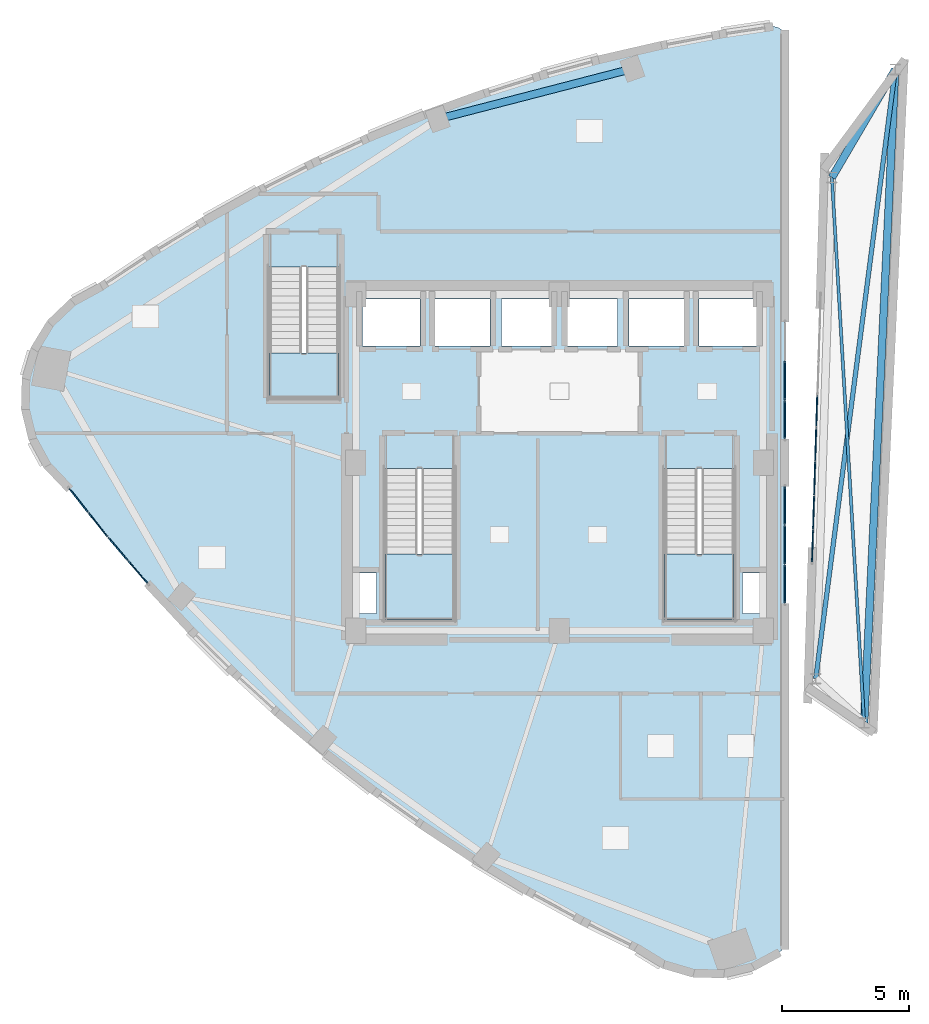
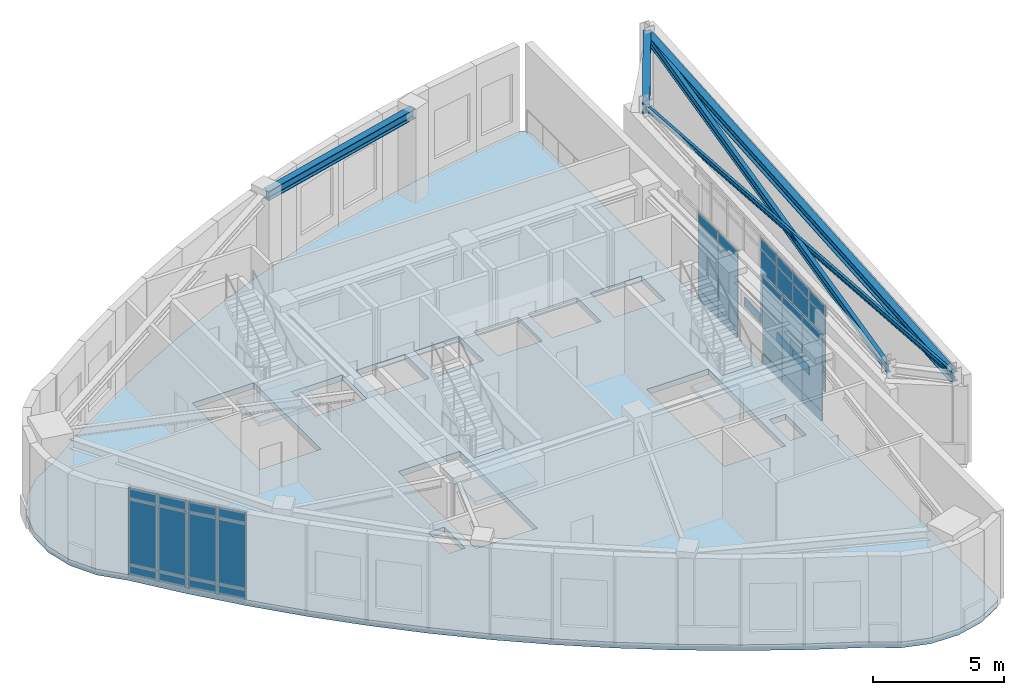
# One storey, part 12 of 19: 40 plates, 5 beams, 4 slabs, 8 elements without a shape of their own.
"""IFC4 building model written with IfcOpenShell, lengths in metres."""

from ifc_helpers import new_model, si_unit, direction, frame, origin, origin_2d, place, context, subcontext, project, spatial, polyline, rectangle, i_section, outline, extrude, material, layer, layer_set, material_profile, profile_set, type_object, element, aggregate, save


model = new_model("IFC4")

# Units and contexts
model_context = context("Model", 3, precision=1e-05, world=origin(), true_north=direction((0.0, 1.0)))
body_context = subcontext(model_context, "Body", "Model", "MODEL_VIEW")
ifc_project = project(units=[si_unit("LENGTHUNIT", "METRE"), si_unit("AREAUNIT", "SQUARE_METRE"), si_unit("VOLUMEUNIT", "CUBIC_METRE"), si_unit("PLANEANGLEUNIT", "RADIAN"), si_unit("MASSUNIT", "GRAM", prefix="KILO")], contexts=[model_context])

# Site, building, storey
site_placement = place(None, origin())
site = spatial("IfcSite", under=ifc_project, at=site_placement, CompositionType="ELEMENT")
building_placement = place(site_placement, origin())
building = spatial("IfcBuilding", under=site, at=building_placement, Name="Ndelora Gate Hotel", CompositionType="ELEMENT")
storey_placement = place(building_placement, frame((0.0, 0.0, 294.800048828125)))
storey = spatial("IfcBuildingStorey", under=building, at=storey_placement, Name="L73", CompositionType="ELEMENT", Elevation=294.800048828125)

# Beams
ifc_material_1 = material(Name="Steel S355", Category="steel")
ifc_material_profile_1 = material_profile(ifc_material_1, i_section(OverallWidth=0.1201171875, OverallDepth=0.239990234375, WebThickness=0.006103515625, FlangeThickness=0.009765625, FilletRadius=0.014892578125, at=origin_2d()), Name="IPE 240")
ifc_profile_set_1 = profile_set([ifc_material_profile_1], Name="Steel S355")
beam_type_1 = type_object("IfcBeamType", Name="BM-CRN-240", PredefinedType="SPANDREL", material=ifc_profile_set_1)
beam_1_placement = place(storey_placement, frame((11.956787109375, -10.212158203125, 4.0), z_axis=(-0.058984351472, 0.998258907439, 0.0), x_axis=(-0.998258907439, -0.058984351472, 0.0)))
element("IfcBeam", 1, at=beam_1_placement, inside=storey, type_object=beam_type_1, Name="L73 structural beam KB-1", PredefinedType="SPANDREL", context=body_context, shape_type="SweptSolid", body=[
    extrude(i_section(OverallWidth=0.1201171875, OverallDepth=0.239990234375, WebThickness=0.006103515625, FlangeThickness=0.009765625, FilletRadius=0.014892578125, at=origin_2d()), origin(), (0.0, 0.0, 1.0), 21.4404296875),
])
ifc_material_profile_2 = material_profile(ifc_material_1, i_section(OverallWidth=0.179931640625, OverallDepth=0.39990234375, WebThickness=0.008544921875, FlangeThickness=0.013427734375, FilletRadius=0.02099609375, at=origin_2d()), Name="IPE 400")
ifc_profile_set_2 = profile_set([ifc_material_profile_2], Name="Steel S355")
beam_type_2 = type_object("IfcBeamType", Name="BM-RAD-400", PredefinedType="BEAM", material=ifc_profile_set_2)
beam_2_placement = place(storey_placement, frame((10.0576171875, -8.478271484375, 3.919921875), z_axis=(0.129384639667, 0.991594481135, 0.0), x_axis=(-0.991594481135, 0.129384639667, 0.0)))
element("IfcBeam", 2, at=beam_2_placement, inside=storey, type_object=beam_type_2, Name="L73 structural beam FB-5", PredefinedType="BEAM", context=body_context, shape_type="SweptSolid", body=[
    extrude(i_section(OverallWidth=0.179931640625, OverallDepth=0.39990234375, WebThickness=0.008544921875, FlangeThickness=0.013427734375, FilletRadius=0.02099609375, at=origin_2d()), origin(), (0.0, 0.0, 1.0), 24.109375),
])
ifc_material_profile_3 = material_profile(ifc_material_1, i_section(OverallWidth=0.300048828125, OverallDepth=0.449951171875, WebThickness=0.013916015625, FlangeThickness=0.02587890625, FilletRadius=0.027099609375, at=origin_2d()), Name="HEB 450")
ifc_profile_set_3 = profile_set([ifc_material_profile_3], Name="Steel S355")
beam_type_3 = type_object("IfcBeamType", Name="BM-RING-450", PredefinedType="SPANDREL", material=ifc_profile_set_3)
beam_3_placement = place(storey_placement, frame((2.865478515625, 15.461181640625, 3.905029296875), z_axis=(-0.968064499617, -0.250701265615, 0.0), x_axis=(0.250701265615, -0.968064499617, 0.0)))
element("IfcBeam", 3, at=beam_3_placement, inside=storey, type_object=beam_type_3, Name="L73 structural beam RB-5", PredefinedType="SPANDREL", context=body_context, shape_type="SweptSolid", body=[
    extrude(i_section(OverallWidth=0.300048828125, OverallDepth=0.449951171875, WebThickness=0.013916015625, FlangeThickness=0.02587890625, FilletRadius=0.027099609375, at=origin_2d()), origin(), (0.0, 0.0, 1.0), 7.891845703125),
])
beam_4_placement = place(storey_placement, frame((11.956787109375, -10.212158203125, 3.89501953125), z_axis=(0.047535325718, 0.998869557454, 0.0), x_axis=(-0.998869557454, 0.047535325718, 0.0)))
element("IfcBeam", 4, at=beam_4_placement, inside=storey, type_object=beam_type_3, Name="L73 structural beam RB-5", PredefinedType="SPANDREL", context=body_context, shape_type="SweptSolid", body=[
    extrude(i_section(OverallWidth=0.300048828125, OverallDepth=0.449951171875, WebThickness=0.013916015625, FlangeThickness=0.02587890625, FilletRadius=0.027099609375, at=origin_2d()), origin(), (0.0, 0.0, 1.0), 25.669677734375),
])
beam_5_placement = place(storey_placement, frame((13.177001953125, 15.428466796875, 3.89501953125), z_axis=(-0.505838113207, -0.862628427092, 0.0), x_axis=(0.862628427092, -0.505838113207, 0.0)))
element("IfcBeam", 5, at=beam_5_placement, inside=storey, type_object=beam_type_3, Name="L73 structural beam RB-5", PredefinedType="SPANDREL", context=body_context, shape_type="SweptSolid", body=[
    extrude(i_section(OverallWidth=0.300048828125, OverallDepth=0.449951171875, WebThickness=0.013916015625, FlangeThickness=0.02587890625, FilletRadius=0.027099609375, at=origin_2d()), origin(), (0.0, 0.0, 1.0), 4.912353515625),
])

# Curtain wall, plates
ifc_material_2 = material(Name="Bronze Anodised Unitised Aluminium and Low-E Glass", Category="aluminium")
ifc_layer_1 = layer(ifc_material_2, 0.199951171875)
ifc_layer_set_1 = layer_set([ifc_layer_1], Name="Bronze Anodised Unitised Aluminium and Low-E Glass")
curtain_wall_type_1 = type_object("IfcCurtainWallType", Name="CW-SYS-8", PredefinedType="NOTDEFINED", material=ifc_layer_set_1)
curtain_wall_1_placement = place(storey_placement, origin())
curtain_wall_1 = element("IfcCurtainWall", 6, at=curtain_wall_1_placement, inside=storey, type_object=curtain_wall_type_1, Name="L73 Split-Crown West Cleft Lantern Curtain Wall CW8-1", PredefinedType="NOTDEFINED")
ifc_material_3 = material(Name="Solar-Control Low-E Insulated Glazing", Category="glass")
ifc_layer_2 = layer(ifc_material_3, 0.048095703125)
ifc_layer_set_2 = layer_set([ifc_layer_2], Name="Solar-Control Low-E Insulated Glazing")
plate_type = type_object("IfcPlateType", Name="PL-CW-GLZ36", PredefinedType="CURTAIN_PANEL", material=ifc_layer_set_2)
plate_1_placement = place(storey_placement, frame((8.85009765625, -4.760009765625, 0.0537109375), z_axis=(0.0, 0.0, 1.0), x_axis=(0.0, 1.0, 0.0)))
plate_1 = element("IfcPlate", 7, at=plate_1_placement, type_object=plate_type, Name="CW8 panel 1.1", PredefinedType="CURTAIN_PANEL", context=body_context, shape_type="SweptSolid", body=[
    extrude(rectangle(XDim=1.471923828125, YDim=0.048095703125, at=origin_2d()), origin(), (0.0, 0.0, 1.0), 0.422119140625),
])
plate_2_placement = place(storey_placement, frame((8.85009765625, -4.760009765625, 0.52392578125), z_axis=(0.0, 0.0, 1.0), x_axis=(0.0, 1.0, 0.0)))
plate_2 = element("IfcPlate", 8, at=plate_2_placement, type_object=plate_type, Name="CW8 panel 1.2", PredefinedType="CURTAIN_PANEL", context=body_context, shape_type="SweptSolid", body=[
    extrude(rectangle(XDim=1.471923828125, YDim=0.048095703125, at=origin_2d()), origin(), (0.0, 0.0, 1.0), 3.031982421875),
])
plate_3_placement = place(storey_placement, frame((8.85009765625, -4.760009765625, 3.60400390625), z_axis=(0.0, 0.0, 1.0), x_axis=(0.0, 1.0, 0.0)))
plate_3 = element("IfcPlate", 9, at=plate_3_placement, type_object=plate_type, Name="CW8 panel 1.3", PredefinedType="CURTAIN_PANEL", context=body_context, shape_type="SweptSolid", body=[
    extrude(rectangle(XDim=1.471923828125, YDim=0.048095703125, at=origin_2d()), origin(), (0.0, 0.0, 1.0), 0.471923828125),
])
plate_4_placement = place(storey_placement, frame((8.85009765625, -3.22509765625, 0.0537109375), z_axis=(0.0, 0.0, 1.0), x_axis=(0.0, 1.0, 0.0)))
plate_4 = element("IfcPlate", 10, at=plate_4_placement, type_object=plate_type, Name="CW8 panel 2.1", PredefinedType="CURTAIN_PANEL", context=body_context, shape_type="SweptSolid", body=[
    extrude(rectangle(XDim=1.501953125, YDim=0.048095703125, at=origin_2d()), origin(), (0.0, 0.0, 1.0), 0.422119140625),
])
plate_5_placement = place(storey_placement, frame((8.85009765625, -3.22509765625, 0.52392578125), z_axis=(0.0, 0.0, 1.0), x_axis=(0.0, 1.0, 0.0)))
plate_5 = element("IfcPlate", 11, at=plate_5_placement, type_object=plate_type, Name="CW8 panel 2.2", PredefinedType="CURTAIN_PANEL", context=body_context, shape_type="SweptSolid", body=[
    extrude(rectangle(XDim=1.501953125, YDim=0.048095703125, at=origin_2d()), origin(), (0.0, 0.0, 1.0), 3.031982421875),
])
plate_6_placement = place(storey_placement, frame((8.85009765625, -3.22509765625, 3.60400390625), z_axis=(0.0, 0.0, 1.0), x_axis=(0.0, 1.0, 0.0)))
plate_6 = element("IfcPlate", 12, at=plate_6_placement, type_object=plate_type, Name="CW8 panel 2.3", PredefinedType="CURTAIN_PANEL", context=body_context, shape_type="SweptSolid", body=[
    extrude(rectangle(XDim=1.501953125, YDim=0.048095703125, at=origin_2d()), origin(), (0.0, 0.0, 1.0), 0.471923828125),
])
plate_7_placement = place(storey_placement, frame((8.85009765625, -1.68994140625, 0.0537109375), z_axis=(0.0, 0.0, 1.0), x_axis=(0.0, 1.0, 0.0)))
plate_7 = element("IfcPlate", 13, at=plate_7_placement, type_object=plate_type, Name="CW8 panel 3.1", PredefinedType="CURTAIN_PANEL", context=body_context, shape_type="SweptSolid", body=[
    extrude(rectangle(XDim=1.471923828125, YDim=0.048095703125, at=origin_2d()), origin(), (0.0, 0.0, 1.0), 0.422119140625),
])
plate_8_placement = place(storey_placement, frame((8.85009765625, -1.68994140625, 0.52392578125), z_axis=(0.0, 0.0, 1.0), x_axis=(0.0, 1.0, 0.0)))
plate_8 = element("IfcPlate", 14, at=plate_8_placement, type_object=plate_type, Name="CW8 panel 3.2", PredefinedType="CURTAIN_PANEL", context=body_context, shape_type="SweptSolid", body=[
    extrude(rectangle(XDim=1.471923828125, YDim=0.048095703125, at=origin_2d()), origin(), (0.0, 0.0, 1.0), 3.031982421875),
])
plate_9_placement = place(storey_placement, frame((8.85009765625, -1.68994140625, 3.60400390625), z_axis=(0.0, 0.0, 1.0), x_axis=(0.0, 1.0, 0.0)))
plate_9 = element("IfcPlate", 15, at=plate_9_placement, type_object=plate_type, Name="CW8 panel 3.3", PredefinedType="CURTAIN_PANEL", context=body_context, shape_type="SweptSolid", body=[
    extrude(rectangle(XDim=1.471923828125, YDim=0.048095703125, at=origin_2d()), origin(), (0.0, 0.0, 1.0), 0.471923828125),
])
aggregate(curtain_wall_1, [plate_1, plate_2, plate_3, plate_4, plate_5, plate_6, plate_7, plate_8, plate_9])

curtain_wall_2_placement = place(storey_placement, origin())
curtain_wall_2 = element("IfcCurtainWall", 16, at=curtain_wall_2_placement, inside=storey, type_object=curtain_wall_type_1, Name="L73 Split-Crown West Cleft Lantern Curtain Wall CW8-2", PredefinedType="NOTDEFINED")
plate_10_placement = place(storey_placement, frame((8.85009765625, 1.68994140625, 0.0537109375), z_axis=(0.0, 0.0, 1.0), x_axis=(0.0, 1.0, 0.0)))
plate_10 = element("IfcPlate", 17, at=plate_10_placement, type_object=plate_type, Name="CW8 panel 1.1", PredefinedType="CURTAIN_PANEL", context=body_context, shape_type="SweptSolid", body=[
    extrude(rectangle(XDim=1.471923828125, YDim=0.048095703125, at=origin_2d()), origin(), (0.0, 0.0, 1.0), 0.422119140625),
])
plate_11_placement = place(storey_placement, frame((8.85009765625, 1.68994140625, 0.52392578125), z_axis=(0.0, 0.0, 1.0), x_axis=(0.0, 1.0, 0.0)))
plate_11 = element("IfcPlate", 18, at=plate_11_placement, type_object=plate_type, Name="CW8 panel 1.2", PredefinedType="CURTAIN_PANEL", context=body_context, shape_type="SweptSolid", body=[
    extrude(rectangle(XDim=1.471923828125, YDim=0.048095703125, at=origin_2d()), origin(), (0.0, 0.0, 1.0), 3.031982421875),
])
plate_12_placement = place(storey_placement, frame((8.85009765625, 1.68994140625, 3.60400390625), z_axis=(0.0, 0.0, 1.0), x_axis=(0.0, 1.0, 0.0)))
plate_12 = element("IfcPlate", 19, at=plate_12_placement, type_object=plate_type, Name="CW8 panel 1.3", PredefinedType="CURTAIN_PANEL", context=body_context, shape_type="SweptSolid", body=[
    extrude(rectangle(XDim=1.471923828125, YDim=0.048095703125, at=origin_2d()), origin(), (0.0, 0.0, 1.0), 0.471923828125),
])
plate_13_placement = place(storey_placement, frame((8.85009765625, 3.22509765625, 0.0537109375), z_axis=(0.0, 0.0, 1.0), x_axis=(0.0, 1.0, 0.0)))
plate_13 = element("IfcPlate", 20, at=plate_13_placement, type_object=plate_type, Name="CW8 panel 2.1", PredefinedType="CURTAIN_PANEL", context=body_context, shape_type="SweptSolid", body=[
    extrude(rectangle(XDim=1.501953125, YDim=0.048095703125, at=origin_2d()), origin(), (0.0, 0.0, 1.0), 0.422119140625),
])
plate_14_placement = place(storey_placement, frame((8.85009765625, 3.22509765625, 0.52392578125), z_axis=(0.0, 0.0, 1.0), x_axis=(0.0, 1.0, 0.0)))
plate_14 = element("IfcPlate", 21, at=plate_14_placement, type_object=plate_type, Name="CW8 panel 2.2", PredefinedType="CURTAIN_PANEL", context=body_context, shape_type="SweptSolid", body=[
    extrude(rectangle(XDim=1.501953125, YDim=0.048095703125, at=origin_2d()), origin(), (0.0, 0.0, 1.0), 3.031982421875),
])
plate_15_placement = place(storey_placement, frame((8.85009765625, 3.22509765625, 3.60400390625), z_axis=(0.0, 0.0, 1.0), x_axis=(0.0, 1.0, 0.0)))
plate_15 = element("IfcPlate", 22, at=plate_15_placement, type_object=plate_type, Name="CW8 panel 2.3", PredefinedType="CURTAIN_PANEL", context=body_context, shape_type="SweptSolid", body=[
    extrude(rectangle(XDim=1.501953125, YDim=0.048095703125, at=origin_2d()), origin(), (0.0, 0.0, 1.0), 0.471923828125),
])
aggregate(curtain_wall_2, [plate_10, plate_11, plate_12, plate_13, plate_14, plate_15])

curtain_wall_3_placement = place(storey_placement, origin())
curtain_wall_3 = element("IfcCurtainWall", 23, at=curtain_wall_3_placement, inside=storey, type_object=curtain_wall_type_1, Name="L73 Split-Crown East Cleft Lantern Curtain Wall CW8", PredefinedType="NOTDEFINED")
plate_16_placement = place(storey_placement, frame((10.095458984375, 2.018310546875, 0.0537109375), z_axis=(0.0, 0.0, 1.0), x_axis=(-0.031131345484, -0.999515302198, 0.0)))
plate_16 = element("IfcPlate", 24, at=plate_16_placement, type_object=plate_type, Name="CW8 panel 4.1", PredefinedType="CURTAIN_PANEL", context=body_context, shape_type="SweptSolid", body=[
    extrude(rectangle(XDim=1.276611328125, YDim=0.048095703125, at=origin_2d()), origin(), (0.0, 0.0, 1.0), 0.422119140625),
])
plate_17_placement = place(storey_placement, frame((10.05419921875, 0.6943359375, 0.0537109375), z_axis=(0.0, 0.0, 1.0), x_axis=(-0.031131345484, -0.999515302198, 0.0)))
plate_17 = element("IfcPlate", 25, at=plate_17_placement, type_object=plate_type, Name="CW8 panel 5.1", PredefinedType="CURTAIN_PANEL", context=body_context, shape_type="SweptSolid", body=[
    extrude(rectangle(XDim=1.276611328125, YDim=0.048095703125, at=origin_2d()), origin(), (0.0, 0.0, 1.0), 0.422119140625),
])
plate_18_placement = place(storey_placement, frame((10.05419921875, 0.6943359375, 0.52392578125), z_axis=(0.0, 0.0, 1.0), x_axis=(-0.031131345484, -0.999515302198, 0.0)))
plate_18 = element("IfcPlate", 26, at=plate_18_placement, type_object=plate_type, Name="CW8 panel 5.2", PredefinedType="CURTAIN_PANEL", context=body_context, shape_type="SweptSolid", body=[
    extrude(rectangle(XDim=1.276611328125, YDim=0.048095703125, at=origin_2d()), origin(), (0.0, 0.0, 1.0), 3.031982421875),
])
plate_19_placement = place(storey_placement, frame((10.05419921875, 0.6943359375, 3.60400390625), z_axis=(0.0, 0.0, 1.0), x_axis=(-0.031131345484, -0.999515302198, 0.0)))
plate_19 = element("IfcPlate", 27, at=plate_19_placement, type_object=plate_type, Name="CW8 panel 5.3", PredefinedType="CURTAIN_PANEL", context=body_context, shape_type="SweptSolid", body=[
    extrude(rectangle(XDim=1.276611328125, YDim=0.048095703125, at=origin_2d()), origin(), (0.0, 0.0, 1.0), 0.471923828125),
])
plate_20_placement = place(storey_placement, frame((10.012939453125, -0.629638671875, 0.0537109375), z_axis=(0.0, 0.0, 1.0), x_axis=(-0.031131345484, -0.999515302198, 0.0)))
plate_20 = element("IfcPlate", 28, at=plate_20_placement, type_object=plate_type, Name="CW8 panel 6.1", PredefinedType="CURTAIN_PANEL", context=body_context, shape_type="SweptSolid", body=[
    extrude(rectangle(XDim=1.276611328125, YDim=0.048095703125, at=origin_2d()), origin(), (0.0, 0.0, 1.0), 0.422119140625),
])
plate_21_placement = place(storey_placement, frame((10.012939453125, -0.629638671875, 0.52392578125), z_axis=(0.0, 0.0, 1.0), x_axis=(-0.031131345484, -0.999515302198, 0.0)))
plate_21 = element("IfcPlate", 29, at=plate_21_placement, type_object=plate_type, Name="CW8 panel 6.2", PredefinedType="CURTAIN_PANEL", context=body_context, shape_type="SweptSolid", body=[
    extrude(rectangle(XDim=1.276611328125, YDim=0.048095703125, at=origin_2d()), origin(), (0.0, 0.0, 1.0), 3.031982421875),
])
plate_22_placement = place(storey_placement, frame((10.012939453125, -0.629638671875, 3.60400390625), z_axis=(0.0, 0.0, 1.0), x_axis=(-0.031131345484, -0.999515302198, 0.0)))
plate_22 = element("IfcPlate", 30, at=plate_22_placement, type_object=plate_type, Name="CW8 panel 6.3", PredefinedType="CURTAIN_PANEL", context=body_context, shape_type="SweptSolid", body=[
    extrude(rectangle(XDim=1.276611328125, YDim=0.048095703125, at=origin_2d()), origin(), (0.0, 0.0, 1.0), 0.471923828125),
])
plate_23_placement = place(storey_placement, frame((9.9716796875, -1.95361328125, 0.0537109375), z_axis=(0.0, 0.0, 1.0), x_axis=(-0.031131345484, -0.999515302198, 0.0)))
plate_23 = element("IfcPlate", 31, at=plate_23_placement, type_object=plate_type, Name="CW8 panel 7.1", PredefinedType="CURTAIN_PANEL", context=body_context, shape_type="SweptSolid", body=[
    extrude(rectangle(XDim=1.276611328125, YDim=0.048095703125, at=origin_2d()), origin(), (0.0, 0.0, 1.0), 0.422119140625),
])
plate_24_placement = place(storey_placement, frame((9.9716796875, -1.95361328125, 0.52392578125), z_axis=(0.0, 0.0, 1.0), x_axis=(-0.031131345484, -0.999515302198, 0.0)))
plate_24 = element("IfcPlate", 32, at=plate_24_placement, type_object=plate_type, Name="CW8 panel 7.2", PredefinedType="CURTAIN_PANEL", context=body_context, shape_type="SweptSolid", body=[
    extrude(rectangle(XDim=1.276611328125, YDim=0.048095703125, at=origin_2d()), origin(), (0.0, 0.0, 1.0), 3.031982421875),
])
plate_25_placement = place(storey_placement, frame((9.9716796875, -1.95361328125, 3.60400390625), z_axis=(0.0, 0.0, 1.0), x_axis=(-0.031131345484, -0.999515302198, 0.0)))
plate_25 = element("IfcPlate", 33, at=plate_25_placement, type_object=plate_type, Name="CW8 panel 7.3", PredefinedType="CURTAIN_PANEL", context=body_context, shape_type="SweptSolid", body=[
    extrude(rectangle(XDim=1.276611328125, YDim=0.048095703125, at=origin_2d()), origin(), (0.0, 0.0, 1.0), 0.471923828125),
])
plate_26_placement = place(storey_placement, frame((9.930908203125, -3.2626953125, 0.0537109375), z_axis=(0.0, 0.0, 1.0), x_axis=(-0.031131345484, -0.999515302198, 0.0)))
plate_26 = element("IfcPlate", 34, at=plate_26_placement, type_object=plate_type, Name="CW8 panel 8.1", PredefinedType="CURTAIN_PANEL", context=body_context, shape_type="SweptSolid", body=[
    extrude(rectangle(XDim=1.24658203125, YDim=0.048095703125, at=origin_2d()), origin(), (0.0, 0.0, 1.0), 0.422119140625),
])
plate_27_placement = place(storey_placement, frame((9.930908203125, -3.2626953125, 0.52392578125), z_axis=(0.0, 0.0, 1.0), x_axis=(-0.031131345484, -0.999515302198, 0.0)))
plate_27 = element("IfcPlate", 35, at=plate_27_placement, type_object=plate_type, Name="CW8 panel 8.2", PredefinedType="CURTAIN_PANEL", context=body_context, shape_type="SweptSolid", body=[
    extrude(rectangle(XDim=1.24658203125, YDim=0.048095703125, at=origin_2d()), origin(), (0.0, 0.0, 1.0), 3.031982421875),
])
plate_28_placement = place(storey_placement, frame((9.930908203125, -3.2626953125, 3.60400390625), z_axis=(0.0, 0.0, 1.0), x_axis=(-0.031131345484, -0.999515302198, 0.0)))
plate_28 = element("IfcPlate", 36, at=plate_28_placement, type_object=plate_type, Name="CW8 panel 8.3", PredefinedType="CURTAIN_PANEL", context=body_context, shape_type="SweptSolid", body=[
    extrude(rectangle(XDim=1.24658203125, YDim=0.048095703125, at=origin_2d()), origin(), (0.0, 0.0, 1.0), 0.471923828125),
])
aggregate(curtain_wall_3, [plate_16, plate_17, plate_18, plate_19, plate_20, plate_21, plate_22, plate_23, plate_24, plate_25, plate_26, plate_27, plate_28])

ifc_layer_3 = layer(ifc_material_2, 0.219970703125)
ifc_layer_set_3 = layer_set([ifc_layer_3], Name="Bronze Anodised Unitised Aluminium and Low-E Glass")
curtain_wall_type_2 = type_object("IfcCurtainWallType", Name="CW-SYS-7", PredefinedType="NOTDEFINED", material=ifc_layer_set_3)
curtain_wall_4_placement = place(storey_placement, origin())
curtain_wall_4 = element("IfcCurtainWall", 37, at=curtain_wall_4_placement, inside=storey, type_object=curtain_wall_type_2, Name="L73 West Peak Horizon Observatory Curtain Wall 1", PredefinedType="NOTDEFINED")
plate_29_placement = place(storey_placement, frame((-18.866943359375, -1.484619140625, 0.058837890625), z_axis=(0.0, 0.0, 1.0), x_axis=(0.62162196359, -0.783317390578, 0.0)))
plate_29 = element("IfcPlate", 38, at=plate_29_placement, type_object=plate_type, Name="CW7 panel 1.1", PredefinedType="CURTAIN_PANEL", context=body_context, shape_type="SweptSolid", body=[
    extrude(rectangle(XDim=1.16259765625, YDim=0.048095703125, at=origin_2d()), origin(), (0.0, 0.0, 1.0), 0.41455078125),
])
plate_30_placement = place(storey_placement, frame((-18.866943359375, -1.484619140625, 0.5263671875), z_axis=(0.0, 0.0, 1.0), x_axis=(0.62162196359, -0.783317390578, 0.0)))
plate_30 = element("IfcPlate", 39, at=plate_30_placement, type_object=plate_type, Name="CW7 panel 1.2", PredefinedType="CURTAIN_PANEL", context=body_context, shape_type="SweptSolid", body=[
    extrude(rectangle(XDim=1.16259765625, YDim=0.048095703125, at=origin_2d()), origin(), (0.0, 0.0, 1.0), 3.027099609375),
])
plate_31_placement = place(storey_placement, frame((-18.866943359375, -1.484619140625, 3.6064453125), z_axis=(0.0, 0.0, 1.0), x_axis=(0.62162196359, -0.783317390578, 0.0)))
plate_31 = element("IfcPlate", 40, at=plate_31_placement, type_object=plate_type, Name="CW7 panel 1.3", PredefinedType="CURTAIN_PANEL", context=body_context, shape_type="SweptSolid", body=[
    extrude(rectangle(XDim=1.16259765625, YDim=0.048095703125, at=origin_2d()), origin(), (0.0, 0.0, 1.0), 0.464599609375),
])
plate_32_placement = place(storey_placement, frame((-18.111328125, -2.436767578125, 0.058837890625), z_axis=(0.0, 0.0, 1.0), x_axis=(0.62162196359, -0.783317390578, 0.0)))
plate_32 = element("IfcPlate", 41, at=plate_32_placement, type_object=plate_type, Name="CW7 panel 2.1", PredefinedType="CURTAIN_PANEL", context=body_context, shape_type="SweptSolid", body=[
    extrude(rectangle(XDim=1.16259765625, YDim=0.048095703125, at=origin_2d()), origin(), (0.0, 0.0, 1.0), 0.41455078125),
])
plate_33_placement = place(storey_placement, frame((-18.111328125, -2.436767578125, 0.5263671875), z_axis=(0.0, 0.0, 1.0), x_axis=(0.62162196359, -0.783317390578, 0.0)))
plate_33 = element("IfcPlate", 42, at=plate_33_placement, type_object=plate_type, Name="CW7 panel 2.2", PredefinedType="CURTAIN_PANEL", context=body_context, shape_type="SweptSolid", body=[
    extrude(rectangle(XDim=1.16259765625, YDim=0.048095703125, at=origin_2d()), origin(), (0.0, 0.0, 1.0), 3.027099609375),
])
plate_34_placement = place(storey_placement, frame((-18.111328125, -2.436767578125, 3.6064453125), z_axis=(0.0, 0.0, 1.0), x_axis=(0.62162196359, -0.783317390578, 0.0)))
plate_34 = element("IfcPlate", 43, at=plate_34_placement, type_object=plate_type, Name="CW7 panel 2.3", PredefinedType="CURTAIN_PANEL", context=body_context, shape_type="SweptSolid", body=[
    extrude(rectangle(XDim=1.16259765625, YDim=0.048095703125, at=origin_2d()), origin(), (0.0, 0.0, 1.0), 0.464599609375),
])
aggregate(curtain_wall_4, [plate_29, plate_30, plate_31, plate_32, plate_33, plate_34])

curtain_wall_5_placement = place(storey_placement, origin())
curtain_wall_5 = element("IfcCurtainWall", 44, at=curtain_wall_5_placement, inside=storey, type_object=curtain_wall_type_2, Name="L73 West Peak Horizon Observatory Curtain Wall 2", PredefinedType="NOTDEFINED")
plate_35_placement = place(storey_placement, frame((-17.325927734375, -3.387939453125, 0.058837890625), z_axis=(0.0, 0.0, 1.0), x_axis=(0.651638229475, -0.75852990573, 0.0)))
plate_35 = element("IfcPlate", 45, at=plate_35_placement, type_object=plate_type, Name="CW7 panel 1.1", PredefinedType="CURTAIN_PANEL", context=body_context, shape_type="SweptSolid", body=[
    extrude(rectangle(XDim=1.14892578125, YDim=0.048095703125, at=origin_2d()), origin(), (0.0, 0.0, 1.0), 0.41455078125),
])
plate_36_placement = place(storey_placement, frame((-17.325927734375, -3.387939453125, 0.5263671875), z_axis=(0.0, 0.0, 1.0), x_axis=(0.651638229475, -0.75852990573, 0.0)))
plate_36 = element("IfcPlate", 46, at=plate_36_placement, type_object=plate_type, Name="CW7 panel 1.2", PredefinedType="CURTAIN_PANEL", context=body_context, shape_type="SweptSolid", body=[
    extrude(rectangle(XDim=1.14892578125, YDim=0.048095703125, at=origin_2d()), origin(), (0.0, 0.0, 1.0), 3.027099609375),
])
plate_37_placement = place(storey_placement, frame((-17.325927734375, -3.387939453125, 3.6064453125), z_axis=(0.0, 0.0, 1.0), x_axis=(0.651638229475, -0.75852990573, 0.0)))
plate_37 = element("IfcPlate", 47, at=plate_37_placement, type_object=plate_type, Name="CW7 panel 1.3", PredefinedType="CURTAIN_PANEL", context=body_context, shape_type="SweptSolid", body=[
    extrude(rectangle(XDim=1.14892578125, YDim=0.048095703125, at=origin_2d()), origin(), (0.0, 0.0, 1.0), 0.464599609375),
])
plate_38_placement = place(storey_placement, frame((-16.542724609375, -4.2998046875, 0.058837890625), z_axis=(0.0, 0.0, 1.0), x_axis=(0.651638229475, -0.75852990573, 0.0)))
plate_38 = element("IfcPlate", 48, at=plate_38_placement, type_object=plate_type, Name="CW7 panel 2.1", PredefinedType="CURTAIN_PANEL", context=body_context, shape_type="SweptSolid", body=[
    extrude(rectangle(XDim=1.14892578125, YDim=0.048095703125, at=origin_2d()), origin(), (0.0, 0.0, 1.0), 0.41455078125),
])
plate_39_placement = place(storey_placement, frame((-16.542724609375, -4.2998046875, 0.5263671875), z_axis=(0.0, 0.0, 1.0), x_axis=(0.651638229475, -0.75852990573, 0.0)))
plate_39 = element("IfcPlate", 49, at=plate_39_placement, type_object=plate_type, Name="CW7 panel 2.2", PredefinedType="CURTAIN_PANEL", context=body_context, shape_type="SweptSolid", body=[
    extrude(rectangle(XDim=1.14892578125, YDim=0.048095703125, at=origin_2d()), origin(), (0.0, 0.0, 1.0), 3.027099609375),
])
plate_40_placement = place(storey_placement, frame((-16.542724609375, -4.2998046875, 3.6064453125), z_axis=(0.0, 0.0, 1.0), x_axis=(0.651638229475, -0.75852990573, 0.0)))
plate_40 = element("IfcPlate", 50, at=plate_40_placement, type_object=plate_type, Name="CW7 panel 2.3", PredefinedType="CURTAIN_PANEL", context=body_context, shape_type="SweptSolid", body=[
    extrude(rectangle(XDim=1.14892578125, YDim=0.048095703125, at=origin_2d()), origin(), (0.0, 0.0, 1.0), 0.464599609375),
])
aggregate(curtain_wall_5, [plate_35, plate_36, plate_37, plate_38, plate_39, plate_40])

# Stair, slab
ifc_material_4 = material(Name="Precast concrete C40/50", Category="concrete")
stair_type = type_object("IfcStairType", Name="STR-DOG-CORE", PredefinedType="HALF_TURN_STAIR", material=ifc_material_4)
stair_1_placement = place(storey_placement, origin())
stair_1 = element("IfcStair", 51, at=stair_1_placement, inside=storey, type_object=stair_type, Name="L73 Protected Core Exit Stair ST4", PredefinedType="HALF_TURN_STAIR")
ifc_layer_4 = layer(ifc_material_4, 0.219970703125)
ifc_layer_set_4 = layer_set([ifc_layer_4], Name="Precast concrete C40/50")
slab_type_1 = type_object("IfcSlabType", Name="SL-LAND-220", PredefinedType="LANDING", material=ifc_layer_set_4)
slab_1_placement = place(storey_placement, frame((0.0, 0.0, 2.0)))
slab_1 = element("IfcSlab", 52, at=slab_1_placement, type_object=slab_type_1, Name="ST4 landing 1", PredefinedType="LANDING", context=body_context, shape_type="SweptSolid", body=[
    extrude(outline(polyline([(-6.85009765625, -3.590087890625), (-6.85009765625, -6.14990234375), (-4.1298828125, -6.14990234375), (-4.1298828125, -3.590087890625), (-6.85009765625, -3.590087890625)])), origin(), (0.0, 0.0, 1.0), 0.199951171875),
])
aggregate(stair_1, [slab_1])

stair_2_placement = place(storey_placement, origin())
stair_2 = element("IfcStair", 53, at=stair_2_placement, inside=storey, type_object=stair_type, Name="L73 Protected Core Exit Stair ST5", PredefinedType="HALF_TURN_STAIR")
slab_2_placement = place(storey_placement, frame((0.0, 0.0, 2.0)))
slab_2 = element("IfcSlab", 54, at=slab_2_placement, type_object=slab_type_1, Name="ST5 landing 1", PredefinedType="LANDING", context=body_context, shape_type="SweptSolid", body=[
    extrude(outline(polyline([(4.1298828125, -3.590087890625), (4.1298828125, -6.14990234375), (6.85009765625, -6.14990234375), (6.85009765625, -3.590087890625), (4.1298828125, -3.590087890625)])), origin(), (0.0, 0.0, 1.0), 0.199951171875),
])
aggregate(stair_2, [slab_2])

stair_3_placement = place(storey_placement, origin())
stair_3 = element("IfcStair", 55, at=stair_3_placement, inside=storey, type_object=stair_type, Name="L73 Crown Observation Exit Stair ST6", PredefinedType="HALF_TURN_STAIR")
slab_3_placement = place(storey_placement, frame((0.0, 0.0, 2.0)))
slab_3 = element("IfcSlab", 56, at=slab_3_placement, type_object=slab_type_1, Name="ST6 landing 1", PredefinedType="LANDING", context=body_context, shape_type="SweptSolid", body=[
    extrude(outline(polyline([(-11.389892578125, 4.31005859375), (-11.389892578125, 2.550048828125), (-8.669921875, 2.550048828125), (-8.669921875, 4.31005859375), (-11.389892578125, 4.31005859375)])), origin(), (0.0, 0.0, 1.0), 0.199951171875),
])
aggregate(stair_3, [slab_3])

# Slab
ifc_material_5 = material(Name="Concrete C40/50", Category="concrete")
ifc_layer_5 = layer(ifc_material_5, 0.27001953125)
ifc_layer_set_5 = layer_set([ifc_layer_5], Name="Concrete C40/50")
slab_type_2 = type_object("IfcSlabType", Name="SL-OBS-270", PredefinedType="FLOOR", material=ifc_layer_set_5)
slab_4_placement = place(storey_placement, frame((0.0, 0.0, -0.27001953125)))
element("IfcSlab", 57, at=slab_4_placement, inside=storey, type_object=slab_type_2, Name="L73 Structural Floor Slab", PredefinedType="FLOOR", context=body_context, shape_type="SweptSolid", body=[
    extrude(outline(polyline([(-18.02685546875, 6.884033203125), (-19.079833984375, 6.310302734375), (-19.14111328125, 6.26171875), (-19.94921875, 5.4921875), (-19.99609375, 5.42919921875), (-20.57763671875, 4.476806640625), (-20.606201171875, 4.40380859375), (-20.921630859375, 3.33349609375), (-20.930419921875, 3.255615234375), (-20.9580078125, 2.14013671875), (-20.9462890625, 2.0625), (-20.68408203125, 0.977783203125), (-20.653076171875, 0.906005859375), (-20.118896484375, -0.073974609375), (-20.0703125, -0.13525390625), (-19.25244140625, -0.998779296875), (-17.7255859375, -2.922607421875), (-16.142822265625, -4.764892578125), (-14.499267578125, -6.53173828125), (-12.794921875, -8.22314453125), (-11.029541015625, -9.839111328125), (-9.203369140625, -11.3798828125), (-7.31640625, -12.84521484375), (-5.3681640625, -14.235107421875), (-3.359130859375, -15.550048828125), (-1.2890625, -16.789794921875), (0.842041015625, -17.9541015625), (3.051513671875, -19.0537109375), (4.074951171875, -19.6787109375), (4.14794921875, -19.70751953125), (5.21826171875, -20.022705078125), (5.296142578125, -20.03173828125), (6.41162109375, -20.05908203125), (6.4892578125, -20.047607421875), (7.573974609375, -19.785400390625), (7.645751953125, -19.754150390625), (8.592041015625, -19.240234375), (8.657470703125, -19.197021484375), (8.709716796875, -19.149658203125), (8.769287109375, -19.08056640625), (8.8134765625, -19.0009765625), (8.8408203125, -18.9140625), (8.85009765625, -18.8232421875), (8.84765625, 16.70947265625), (8.82958984375, 16.798583984375), (8.793701171875, 16.8818359375), (8.741943359375, 16.95654296875), (8.676513671875, 17.019287109375), (8.599609375, 17.0673828125), (8.514404296875, 17.099365234375), (8.4248046875, 17.11328125), (8.333984375, 17.109375), (6.331787109375, 16.812255859375), (3.94482421875, 16.362548828125), (1.593017578125, 15.82275390625), (-0.723876953125, 15.192138671875), (-3.006103515625, 14.471435546875), (-5.25341796875, 13.66015625), (-7.466064453125, 12.7587890625), (-9.64404296875, 11.7666015625), (-11.787109375, 10.68408203125), (-13.895751953125, 9.51123046875), (-15.9697265625, 8.247802734375), (-18.02685546875, 6.884033203125)]), holes=[polyline([(-6.85009765625, -0.22998046875), (-6.85009765625, -6.14990234375), (-4.1298828125, -6.14990234375), (-4.1298828125, -0.22998046875), (-6.85009765625, -0.22998046875)]), polyline([(4.1298828125, -0.22998046875), (4.1298828125, -6.14990234375), (6.85009765625, -6.14990234375), (6.85009765625, -0.22998046875), (4.1298828125, -0.22998046875)]), polyline([(-11.389892578125, 7.669921875), (-11.389892578125, 2.550048828125), (-8.669921875, 2.550048828125), (-8.669921875, 7.669921875), (-11.389892578125, 7.669921875)]), polyline([(-7.72998046875, 4.570068359375), (-5.469970703125, 4.570068359375), (-5.469970703125, 6.429931640625), (-7.72998046875, 6.429931640625), (-7.72998046875, 4.570068359375)]), polyline([(5.469970703125, 4.570068359375), (7.72998046875, 4.570068359375), (7.72998046875, 6.429931640625), (5.469970703125, 6.429931640625), (5.469970703125, 4.570068359375)]), polyline([(-4.8798828125, 4.570068359375), (-2.719970703125, 4.570068359375), (-2.719970703125, 6.429931640625), (-4.8798828125, 6.429931640625), (-4.8798828125, 4.570068359375)]), polyline([(2.719970703125, 4.570068359375), (4.8798828125, 4.570068359375), (4.8798828125, 6.429931640625), (2.719970703125, 6.429931640625), (2.719970703125, 4.570068359375)]), polyline([(-2.280029296875, 4.570068359375), (-0.320068359375, 4.570068359375), (-0.320068359375, 6.429931640625), (-2.280029296875, 6.429931640625), (-2.280029296875, 4.570068359375)]), polyline([(0.320068359375, 4.570068359375), (2.280029296875, 4.570068359375), (2.280029296875, 6.429931640625), (0.320068359375, 6.429931640625), (0.320068359375, 4.570068359375)]), polyline([(-7.89990234375, -5.919921875), (-7.179931640625, -5.919921875), (-7.179931640625, -4.320068359375), (-7.89990234375, -4.320068359375), (-7.89990234375, -5.919921875)]), polyline([(7.179931640625, -5.919921875), (7.89990234375, -5.919921875), (7.89990234375, -4.320068359375), (7.179931640625, -4.320068359375), (7.179931640625, -5.919921875)])]), origin(), (0.0, 0.0, 1.0), 0.27001953125),
])

save(model, "model.ifc")
